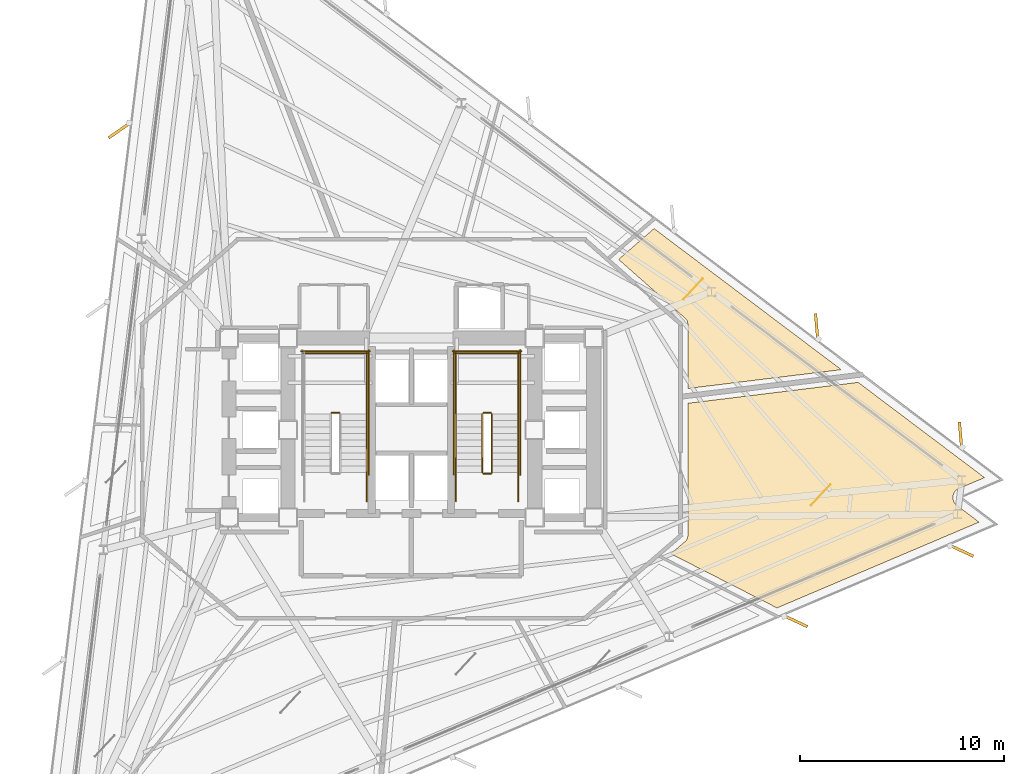
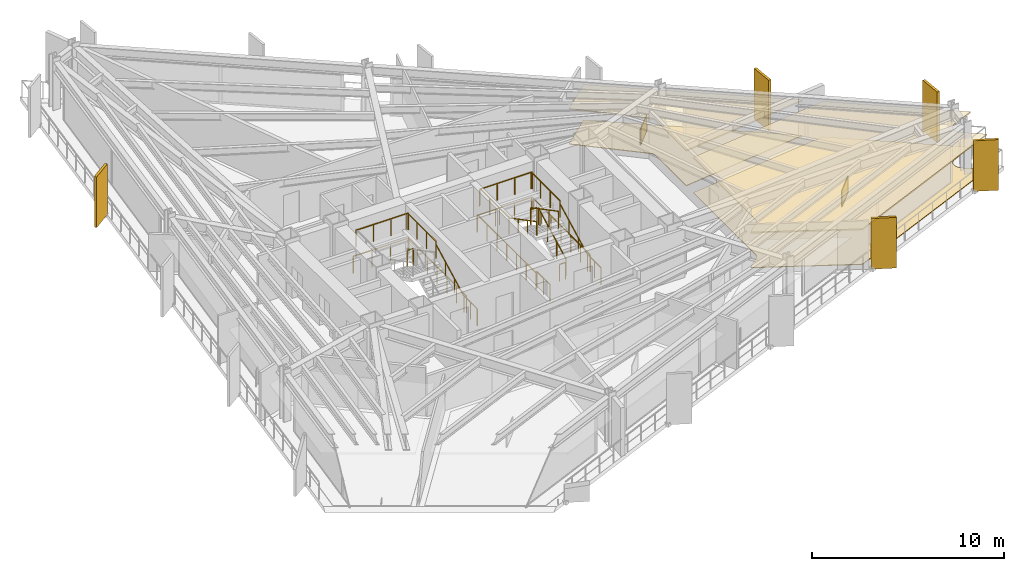
# One storey, part 12 of 13: 21 railings, 6 coverings, 5 shading devices.
"""IFC4 building model written with IfcOpenShell, lengths in metres."""

from ifc_helpers import new_model, si_unit, direction, frame, origin, origin_2d, place, context, subcontext, project, spatial, polyline, rectangle, outline, extrude, material, layer, layer_set, type_object, element, save


model = new_model("IFC4")

# Units and contexts
model_context = context("Model", 3, precision=1e-05, world=origin(), true_north=direction((0.0, 1.0)))
body_context = subcontext(model_context, "Body", "Model", "MODEL_VIEW")
ifc_project = project(units=[si_unit("LENGTHUNIT", "METRE"), si_unit("AREAUNIT", "SQUARE_METRE"), si_unit("VOLUMEUNIT", "CUBIC_METRE"), si_unit("PLANEANGLEUNIT", "RADIAN"), si_unit("MASSUNIT", "GRAM", prefix="KILO")], contexts=[model_context])

# Site, building, storey
site_placement = place(None, origin())
site = spatial("IfcSite", under=ifc_project, at=site_placement, CompositionType="ELEMENT")
building_placement = place(site_placement, origin())
building = spatial("IfcBuilding", under=site, at=building_placement, Name="Rocaltana Carrier Exchange", CompositionType="ELEMENT")
storey_placement = place(building_placement, frame((0.0, 0.0, 59.679931640625)))
storey = spatial("IfcBuildingStorey", under=building, at=storey_placement, Name="L18", CompositionType="ELEMENT", Elevation=59.679931640625)

# Coverings
ifc_material_1 = material(Name="Honed Bogota Sandstone Tile", Category="masonry")
ifc_layer_1 = layer(ifc_material_1, 0.0400390625)
ifc_layer_set_1 = layer_set([ifc_layer_1], Name="Honed Bogota Sandstone Tile")
covering_type_1 = type_object("IfcCoveringType", Name="Honed Stone Lobby Flooring 40", PredefinedType="FLOORING", material=ifc_layer_set_1)
covering_1_placement = place(storey_placement, origin())
element("IfcCovering", 1, at=covering_1_placement, inside=storey, type_object=covering_type_1, Name="L18 Optical Switching Laboratory Finish Floor", PredefinedType="FLOORING", context=body_context, shape_type="SweptSolid", body=[
    extrude(outline(polyline([(28.1201171875, -2.344482421875), (26.860107421875, -2.87939453125), (26.847412109375, -2.885009765625), (26.82958984375, -2.893798828125), (26.80517578125, -2.906982421875), (26.7880859375, -2.91748046875), (26.76513671875, -2.933349609375), (26.749267578125, -2.9453125), (26.727783203125, -2.96337890625), (26.71337890625, -2.97705078125), (26.69384765625, -2.9970703125), (26.6806640625, -3.01220703125), (26.663330078125, -3.033935546875), (26.65185546875, -3.050048828125), (26.63671875, -3.073486328125), (26.626708984375, -3.0908203125), (26.614013671875, -3.11572265625), (26.60595703125, -3.134033203125), (26.595703125, -3.159912109375), (26.589599609375, -3.178955078125), (26.58203125, -3.205810546875), (26.57763671875, -3.225341796875), (26.57275390625, -3.252685546875), (26.5703125, -3.2724609375), (26.568359375, -3.30029296875), (26.56787109375, -3.3203125), (26.568603515625, -3.34814453125), (26.5703125, -3.3681640625), (26.57373046875, -3.395751953125), (26.577392578125, -3.415283203125), (26.58349609375, -3.442626953125), (26.589111328125, -3.4619140625), (26.597900390625, -3.48828125), (26.605224609375, -3.5068359375), (26.616943359375, -3.5322265625), (26.6259765625, -3.5498046875), (26.639892578125, -3.573974609375), (26.65087890625, -3.5908203125), (26.667236328125, -3.61328125), (26.6796875, -3.62890625), (26.6982421875, -3.64990234375), (26.712158203125, -3.6640625), (26.732666015625, -3.68310546875), (26.748046875, -3.69580078125), (26.7587890625, -3.70458984375), (27.851806640625, -4.528076171875), (17.9384765625, -8.736083984375), (12.728515625, -6.08154296875), (13.43505859375, -5.47265625), (13.44482421875, -5.4638671875), (13.450439453125, -5.45849609375), (13.468994140625, -5.439208984375), (13.47412109375, -5.433349609375), (13.490478515625, -5.41259765625), (13.4951171875, -5.40625), (13.509521484375, -5.3837890625), (13.51318359375, -5.377197265625), (13.525634765625, -5.353515625), (13.52880859375, -5.346435546875), (13.538818359375, -5.32177734375), (13.541259765625, -5.314453125), (13.548828125, -5.288818359375), (13.550537109375, -5.281494140625), (13.5556640625, -5.255126953125), (13.556884765625, -5.24755859375), (13.559326171875, -5.220947265625), (13.559814453125, -5.21337890625), (13.56005859375, -5.199951171875), (13.56005859375, 1.30224609375), (21.918701171875, 2.32861328125), (28.1201171875, -2.344482421875)])), origin(), (0.0, 0.0, 1.0), 0.0400390625),
])
covering_2_placement = place(storey_placement, origin())
element("IfcCovering", 2, at=covering_2_placement, inside=storey, type_object=covering_type_1, Name="L18 Client Reception Foyer Finish Floor", PredefinedType="FLOORING", context=body_context, shape_type="SweptSolid", body=[
    extrude(outline(polyline([(21.091064453125, 2.952392578125), (13.56005859375, 2.027587890625), (13.56005859375, 5.199951171875), (13.559814453125, 5.213134765625), (13.559326171875, 5.220703125), (13.556884765625, 5.246826171875), (13.555908203125, 5.25439453125), (13.55078125, 5.2802734375), (13.549072265625, 5.28759765625), (13.541748046875, 5.31298828125), (13.539306640625, 5.320068359375), (13.529541015625, 5.344482421875), (13.526611328125, 5.351318359375), (13.5146484375, 5.375), (13.5107421875, 5.38134765625), (13.49658203125, 5.40380859375), (13.492431640625, 5.409912109375), (13.476318359375, 5.4306640625), (13.471435546875, 5.436279296875), (13.453369140625, 5.455810546875), (13.447998046875, 5.4609375), (13.438232421875, 5.469970703125), (10.16552734375, 8.359619140625), (11.906494140625, 9.873291015625), (21.091064453125, 2.952392578125)])), origin(), (0.0, 0.0, 1.0), 0.0400390625),
])
ifc_material_2 = material(Name="Anodised Aluminium 6063-T6", Category="aluminium")
ifc_layer_2 = layer(ifc_material_2, 0.0849609375)
ifc_layer_set_2 = layer_set([ifc_layer_2], Name="Anodised Aluminium 6063-T6")
covering_type_2 = type_object("IfcCoveringType", Name="Linear Baffle Acoustic Ceiling 85", PredefinedType="CEILING", material=ifc_layer_set_2)
covering_3_placement = place(storey_placement, frame((0.0, 0.0, 2.203125)))
element("IfcCovering", 3, at=covering_3_placement, inside=storey, type_object=covering_type_2, Name="L18 Optical Switching Laboratory Acoustic Ceiling", PredefinedType="CEILING", context=body_context, shape_type="SweptSolid", body=[
    extrude(outline(polyline([(28.1201171875, -2.344482421875), (26.860107421875, -2.87939453125), (26.847412109375, -2.885009765625), (26.82958984375, -2.893798828125), (26.80517578125, -2.906982421875), (26.7880859375, -2.91748046875), (26.76513671875, -2.933349609375), (26.749267578125, -2.9453125), (26.727783203125, -2.96337890625), (26.71337890625, -2.97705078125), (26.69384765625, -2.9970703125), (26.6806640625, -3.01220703125), (26.663330078125, -3.033935546875), (26.65185546875, -3.050048828125), (26.63671875, -3.073486328125), (26.626708984375, -3.0908203125), (26.614013671875, -3.11572265625), (26.60595703125, -3.134033203125), (26.595703125, -3.159912109375), (26.589599609375, -3.178955078125), (26.58203125, -3.205810546875), (26.57763671875, -3.225341796875), (26.57275390625, -3.252685546875), (26.5703125, -3.2724609375), (26.568359375, -3.30029296875), (26.56787109375, -3.3203125), (26.568603515625, -3.34814453125), (26.5703125, -3.3681640625), (26.57373046875, -3.395751953125), (26.577392578125, -3.415283203125), (26.58349609375, -3.442626953125), (26.589111328125, -3.4619140625), (26.597900390625, -3.48828125), (26.605224609375, -3.5068359375), (26.616943359375, -3.5322265625), (26.6259765625, -3.5498046875), (26.639892578125, -3.573974609375), (26.65087890625, -3.5908203125), (26.667236328125, -3.61328125), (26.6796875, -3.62890625), (26.6982421875, -3.64990234375), (26.712158203125, -3.6640625), (26.732666015625, -3.68310546875), (26.748046875, -3.69580078125), (26.7587890625, -3.70458984375), (27.851806640625, -4.528076171875), (17.9384765625, -8.736083984375), (12.728515625, -6.08154296875), (13.43505859375, -5.47265625), (13.44482421875, -5.4638671875), (13.450439453125, -5.45849609375), (13.468994140625, -5.439208984375), (13.47412109375, -5.433349609375), (13.490478515625, -5.41259765625), (13.4951171875, -5.40625), (13.509521484375, -5.3837890625), (13.51318359375, -5.377197265625), (13.525634765625, -5.353515625), (13.52880859375, -5.346435546875), (13.538818359375, -5.32177734375), (13.541259765625, -5.314453125), (13.548828125, -5.288818359375), (13.550537109375, -5.281494140625), (13.5556640625, -5.255126953125), (13.556884765625, -5.24755859375), (13.559326171875, -5.220947265625), (13.559814453125, -5.21337890625), (13.56005859375, -5.199951171875), (13.56005859375, 1.30224609375), (21.918701171875, 2.32861328125), (28.1201171875, -2.344482421875)])), origin(), (0.0, 0.0, 1.0), 0.0849609375),
])
covering_4_placement = place(storey_placement, frame((0.0, 0.0, 2.203125)))
element("IfcCovering", 4, at=covering_4_placement, inside=storey, type_object=covering_type_2, Name="L18 Client Reception Foyer Acoustic Ceiling", PredefinedType="CEILING", context=body_context, shape_type="SweptSolid", body=[
    extrude(outline(polyline([(21.091064453125, 2.952392578125), (13.56005859375, 2.027587890625), (13.56005859375, 5.199951171875), (13.559814453125, 5.213134765625), (13.559326171875, 5.220703125), (13.556884765625, 5.246826171875), (13.555908203125, 5.25439453125), (13.55078125, 5.2802734375), (13.549072265625, 5.28759765625), (13.541748046875, 5.31298828125), (13.539306640625, 5.320068359375), (13.529541015625, 5.344482421875), (13.526611328125, 5.351318359375), (13.5146484375, 5.375), (13.5107421875, 5.38134765625), (13.49658203125, 5.40380859375), (13.492431640625, 5.409912109375), (13.476318359375, 5.4306640625), (13.471435546875, 5.436279296875), (13.453369140625, 5.455810546875), (13.447998046875, 5.4609375), (13.438232421875, 5.469970703125), (10.16552734375, 8.359619140625), (11.906494140625, 9.873291015625), (21.091064453125, 2.952392578125)])), origin(), (0.0, 0.0, 1.0), 0.0849609375),
])

# Railings
ifc_material_3 = material(Name="Brushed Architectural Stainless Tube", Category="steel")
ifc_layer_3 = layer(ifc_material_3, 0.048095703125)
ifc_layer_set_3 = layer_set([ifc_layer_3], Name="Brushed Architectural Stainless Tube")
railing_type_1 = type_object("IfcRailingType", Name="Stair Wall Handrail 920", PredefinedType="HANDRAIL", material=ifc_layer_set_3)
for number, where, name in (
    (5, (-2.18994140625, -2.10009765625, 0.16796875), "L18 ST-1 stair handrail 1"),
    (6, (5.25, -2.10009765625, 0.16796875), "L18 ST-2 stair handrail 1"),
):
    element("IfcRailing", number, at=place(storey_placement, frame(where)), inside=storey, type_object=railing_type_1, Name=name, PredefinedType="HANDRAIL", context=body_context, shape_type="SweptSolid", body=[
        extrude(rectangle(XDim=0.048095703125, YDim=0.048095703125, at=origin_2d()), frame((0.0, 0.0, 0.8759765625), z_axis=(0.0, 0.8853801414, 0.46486772873), x_axis=(-1.0, 0.0, 0.0)), (0.0, 0.0, 1.0), 3.2529296875),
        extrude(rectangle(XDim=0.0419921875, YDim=0.0419921875, at=origin_2d()), origin(), (0.0, 0.0, 1.0), 0.851806640625),
        extrude(rectangle(XDim=0.0419921875, YDim=0.0419921875, at=origin_2d()), frame((0.0, 0.9599609375, 0.504150390625)), (0.0, 0.0, 1.0), 0.851806640625),
        extrude(rectangle(XDim=0.0419921875, YDim=0.0419921875, at=origin_2d()), frame((0.0, 1.920166015625, 1.008056640625)), (0.0, 0.0, 1.0), 0.851806640625),
        extrude(rectangle(XDim=0.0419921875, YDim=0.0419921875, at=origin_2d()), frame((0.0, 2.880126953125, 1.51220703125)), (0.0, 0.0, 1.0), 0.851806640625),
    ])
railing_1_placement = place(storey_placement, frame((2.18994140625, 0.780029296875, 1.84814453125)))
element("IfcRailing", 7, at=railing_1_placement, inside=storey, type_object=railing_type_1, Name="L18 ST-2 stair handrail 2", PredefinedType="HANDRAIL", context=body_context, shape_type="SweptSolid", body=[
    extrude(rectangle(XDim=0.048095703125, YDim=0.048095703125, at=origin_2d()), frame((0.0, 0.0, 0.8759765625), z_axis=(0.0, -0.885411030485, 0.464808893091), x_axis=(1.0, 0.0, 0.0)), (0.0, 0.0, 1.0), 3.2529296875),
    extrude(rectangle(XDim=0.0419921875, YDim=0.0419921875, at=origin_2d()), origin(), (0.0, 0.0, 1.0), 0.851806640625),
    extrude(rectangle(XDim=0.0419921875, YDim=0.0419921875, at=origin_2d()), frame((0.0, -0.9599609375, 0.50390625)), (0.0, 0.0, 1.0), 0.851806640625),
    extrude(rectangle(XDim=0.0419921875, YDim=0.0419921875, at=origin_2d()), frame((0.0, -1.920166015625, 1.008056640625)), (0.0, 0.0, 1.0), 0.851806640625),
    extrude(rectangle(XDim=0.0419921875, YDim=0.0419921875, at=origin_2d()), frame((0.0, -2.880126953125, 1.511962890625)), (0.0, 0.0, 1.0), 0.851806640625),
])
ifc_material_4 = material(Name="Powder-Coated Aluminium 6063-T6", Category="aluminium")
ifc_layer_4 = layer(ifc_material_4, 0.048095703125)
ifc_layer_set_4 = layer_set([ifc_layer_4], Name="Powder-Coated Aluminium 6063-T6")
railing_type_2 = type_object("IfcRailingType", Name="Stair Well Guardrail 1100", PredefinedType="GUARDRAIL", material=ifc_layer_set_4)
railing_2_placement = place(storey_placement, frame((-3.5400390625, 0.830078125, 1.68017578125)))
element("IfcRailing", 8, at=railing_2_placement, inside=storey, type_object=railing_type_2, Name="L18 ST-1 stair guard 2", PredefinedType="GUARDRAIL", context=body_context, shape_type="SweptSolid", body=[
    extrude(rectangle(XDim=0.048095703125, YDim=0.048095703125, at=origin_2d()), frame((0.0, 0.0, 1.076171875), z_axis=(-1.0, 0.0, 0.0), x_axis=(0.0, -1.0, 0.0)), (0.0, 0.0, 1.0), 0.35986328125),
    extrude(rectangle(XDim=0.0419921875, YDim=0.0419921875, at=origin_2d()), origin(), (0.0, 0.0, 1.0), 1.052001953125),
    extrude(rectangle(XDim=0.0419921875, YDim=0.0419921875, at=origin_2d()), frame((-0.35986328125, 0.0, 0.0)), (0.0, 0.0, 1.0), 1.052001953125),
])
railing_3_placement = place(storey_placement, frame((-2.18994140625, 0.780029296875, 1.68017578125)))
element("IfcRailing", 9, at=railing_3_placement, inside=storey, type_object=railing_type_2, Name="L18 ST-1 stair guard 3", PredefinedType="GUARDRAIL", context=body_context, shape_type="SweptSolid", body=[
    extrude(rectangle(XDim=0.048095703125, YDim=0.048095703125, at=origin_2d()), frame((0.0, 0.0, 1.076171875), z_axis=(0.0, 1.0, 0.0), x_axis=(-1.0, 0.0, 0.0)), (0.0, 0.0, 1.0), 3.02001953125),
    extrude(rectangle(XDim=0.0419921875, YDim=0.0419921875, at=origin_2d()), origin(), (0.0, 0.0, 1.0), 1.052001953125),
    extrude(rectangle(XDim=0.0419921875, YDim=0.0419921875, at=origin_2d()), frame((0.0, 1.006591796875, 0.0)), (0.0, 0.0, 1.0), 1.052001953125),
    extrude(rectangle(XDim=0.0419921875, YDim=0.0419921875, at=origin_2d()), frame((0.0, 2.013427734375, 0.0)), (0.0, 0.0, 1.0), 1.052001953125),
    extrude(rectangle(XDim=0.0419921875, YDim=0.0419921875, at=origin_2d()), frame((0.0, 3.02001953125, 0.0)), (0.0, 0.0, 1.0), 1.052001953125),
])
railing_4_placement = place(storey_placement, frame((-2.139892578125, 3.75, 1.68017578125)))
element("IfcRailing", 10, at=railing_4_placement, inside=storey, type_object=railing_type_2, Name="L18 ST-1 stair guard 5", PredefinedType="GUARDRAIL", context=body_context, shape_type="SweptSolid", body=[
    extrude(rectangle(XDim=0.048095703125, YDim=0.048095703125, at=origin_2d()), frame((0.0, 0.0, 1.076171875), z_axis=(-1.0, 0.0, 0.0), x_axis=(0.0, -1.0, 0.0)), (0.0, 0.0, 1.0), 3.16015625),
    extrude(rectangle(XDim=0.0419921875, YDim=0.0419921875, at=origin_2d()), origin(), (0.0, 0.0, 1.0), 1.052001953125),
    extrude(rectangle(XDim=0.0419921875, YDim=0.0419921875, at=origin_2d()), frame((-1.053466796875, 0.0, 0.0)), (0.0, 0.0, 1.0), 1.052001953125),
    extrude(rectangle(XDim=0.0419921875, YDim=0.0419921875, at=origin_2d()), frame((-2.106689453125, 0.0, 0.0)), (0.0, 0.0, 1.0), 1.052001953125),
    extrude(rectangle(XDim=0.0419921875, YDim=0.0419921875, at=origin_2d()), frame((-3.16015625, 0.0, 0.0)), (0.0, 0.0, 1.0), 1.052001953125),
])
railing_5_placement = place(storey_placement, frame((-2.18994140625, -3.5, 0.0)))
element("IfcRailing", 11, at=railing_5_placement, inside=storey, type_object=railing_type_2, Name="L18 ST-1 stair guard 8", PredefinedType="GUARDRAIL", context=body_context, shape_type="SweptSolid", body=[
    extrude(rectangle(XDim=0.048095703125, YDim=0.048095703125, at=origin_2d()), frame((0.0, 0.0, 1.076171875), z_axis=(0.0, 1.0, 0.0), x_axis=(-1.0, 0.0, 0.0)), (0.0, 0.0, 1.0), 1.39990234375),
    extrude(rectangle(XDim=0.0419921875, YDim=0.0419921875, at=origin_2d()), origin(), (0.0, 0.0, 1.0), 1.052001953125),
    extrude(rectangle(XDim=0.0419921875, YDim=0.0419921875, at=origin_2d()), frame((0.0, 0.699951171875, 0.0)), (0.0, 0.0, 1.0), 1.052001953125),
    extrude(rectangle(XDim=0.0419921875, YDim=0.0419921875, at=origin_2d()), frame((0.0, 1.39990234375, 0.0)), (0.0, 0.0, 1.0), 1.052001953125),
])
railing_6_placement = place(storey_placement, frame((-2.090087890625, -2.199951171875, 0.0)))
element("IfcRailing", 12, at=railing_6_placement, inside=storey, type_object=railing_type_2, Name="L18 ST-1 stair guard 10", PredefinedType="GUARDRAIL", context=body_context, shape_type="SweptSolid", body=[
    extrude(rectangle(XDim=0.048095703125, YDim=0.048095703125, at=origin_2d()), frame((0.0, 0.0, 1.076171875), z_axis=(0.0, 1.0, 0.0), x_axis=(-1.0, 0.0, 0.0)), (0.0, 0.0, 1.0), 6.099853515625),
    extrude(rectangle(XDim=0.0419921875, YDim=0.0419921875, at=origin_2d()), origin(), (0.0, 0.0, 1.0), 1.052001953125),
    extrude(rectangle(XDim=0.0419921875, YDim=0.0419921875, at=origin_2d()), frame((0.0, 1.0166015625, 0.0)), (0.0, 0.0, 1.0), 1.052001953125),
    extrude(rectangle(XDim=0.0419921875, YDim=0.0419921875, at=origin_2d()), frame((0.0, 2.033203125, 0.0)), (0.0, 0.0, 1.0), 1.052001953125),
    extrude(rectangle(XDim=0.0419921875, YDim=0.0419921875, at=origin_2d()), frame((0.0, 3.0498046875, 0.0)), (0.0, 0.0, 1.0), 1.052001953125),
    extrude(rectangle(XDim=0.0419921875, YDim=0.0419921875, at=origin_2d()), frame((0.0, 4.066650390625, 0.0)), (0.0, 0.0, 1.0), 1.052001953125),
    extrude(rectangle(XDim=0.0419921875, YDim=0.0419921875, at=origin_2d()), frame((0.0, 5.083251953125, 0.0)), (0.0, 0.0, 1.0), 1.052001953125),
    extrude(rectangle(XDim=0.0419921875, YDim=0.0419921875, at=origin_2d()), frame((0.0, 6.099853515625, 0.0)), (0.0, 0.0, 1.0), 1.052001953125),
])
railing_7_placement = place(storey_placement, frame((-2.0400390625, 3.85009765625, 0.0)))
element("IfcRailing", 13, at=railing_7_placement, inside=storey, type_object=railing_type_2, Name="L18 ST-1 stair guard 12", PredefinedType="GUARDRAIL", context=body_context, shape_type="SweptSolid", body=[
    extrude(rectangle(XDim=0.048095703125, YDim=0.048095703125, at=origin_2d()), frame((0.0, 0.0, 1.076171875), z_axis=(-1.0, 0.0, 0.0), x_axis=(0.0, -1.0, 0.0)), (0.0, 0.0, 1.0), 3.35986328125),
    extrude(rectangle(XDim=0.0419921875, YDim=0.0419921875, at=origin_2d()), origin(), (0.0, 0.0, 1.0), 1.052001953125),
    extrude(rectangle(XDim=0.0419921875, YDim=0.0419921875, at=origin_2d()), frame((-1.119873046875, 0.0, 0.0)), (0.0, 0.0, 1.0), 1.052001953125),
    extrude(rectangle(XDim=0.0419921875, YDim=0.0419921875, at=origin_2d()), frame((-2.239990234375, 0.0, 0.0)), (0.0, 0.0, 1.0), 1.052001953125),
    extrude(rectangle(XDim=0.0419921875, YDim=0.0419921875, at=origin_2d()), frame((-3.35986328125, 0.0, 0.0)), (0.0, 0.0, 1.0), 1.052001953125),
])
railing_8_placement = place(storey_placement, frame((3.949951171875, -2.10009765625, 0.16796875)))
element("IfcRailing", 14, at=railing_8_placement, inside=storey, type_object=railing_type_2, Name="L18 ST-2 stair guard 1", PredefinedType="GUARDRAIL", context=body_context, shape_type="SweptSolid", body=[
    extrude(rectangle(XDim=0.048095703125, YDim=0.048095703125, at=origin_2d()), frame((0.0, 0.0, 1.076171875), z_axis=(0.0, 0.8853801414, 0.46486772873), x_axis=(-1.0, 0.0, 0.0)), (0.0, 0.0, 1.0), 3.2529296875),
    extrude(rectangle(XDim=0.0419921875, YDim=0.0419921875, at=origin_2d()), origin(), (0.0, 0.0, 1.0), 1.052001953125),
    extrude(rectangle(XDim=0.0419921875, YDim=0.0419921875, at=origin_2d()), frame((0.0, 0.9599609375, 0.504150390625)), (0.0, 0.0, 1.0), 1.052001953125),
    extrude(rectangle(XDim=0.0419921875, YDim=0.0419921875, at=origin_2d()), frame((0.0, 1.920166015625, 1.008056640625)), (0.0, 0.0, 1.0), 1.052001953125),
    extrude(rectangle(XDim=0.0419921875, YDim=0.0419921875, at=origin_2d()), frame((0.0, 2.880126953125, 1.51220703125)), (0.0, 0.0, 1.0), 1.052001953125),
])
railing_9_placement = place(storey_placement, frame((3.89990234375, 0.830078125, 1.68017578125)))
element("IfcRailing", 15, at=railing_9_placement, inside=storey, type_object=railing_type_2, Name="L18 ST-2 stair guard 2", PredefinedType="GUARDRAIL", context=body_context, shape_type="SweptSolid", body=[
    extrude(rectangle(XDim=0.048095703125, YDim=0.048095703125, at=origin_2d()), frame((0.0, 0.0, 1.076171875), z_axis=(-1.0, 0.0, 0.0), x_axis=(0.0, -1.0, 0.0)), (0.0, 0.0, 1.0), 0.35986328125),
    extrude(rectangle(XDim=0.0419921875, YDim=0.0419921875, at=origin_2d()), origin(), (0.0, 0.0, 1.0), 1.052001953125),
    extrude(rectangle(XDim=0.0419921875, YDim=0.0419921875, at=origin_2d()), frame((-0.35986328125, 0.0, 0.0)), (0.0, 0.0, 1.0), 1.052001953125),
])
for number, where, name in (
    (16, (5.25, 0.780029296875, 1.68017578125), "L18 ST-2 stair guard 3"),
    (17, (2.18994140625, 0.780029296875, 1.68017578125), "L18 ST-2 stair guard 4"),
):
    element("IfcRailing", number, at=place(storey_placement, frame(where)), inside=storey, type_object=railing_type_2, Name=name, PredefinedType="GUARDRAIL", context=body_context, shape_type="SweptSolid", body=[
        extrude(rectangle(XDim=0.048095703125, YDim=0.048095703125, at=origin_2d()), frame((0.0, 0.0, 1.076171875), z_axis=(0.0, 1.0, 0.0), x_axis=(-1.0, 0.0, 0.0)), (0.0, 0.0, 1.0), 3.02001953125),
        extrude(rectangle(XDim=0.0419921875, YDim=0.0419921875, at=origin_2d()), origin(), (0.0, 0.0, 1.0), 1.052001953125),
        extrude(rectangle(XDim=0.0419921875, YDim=0.0419921875, at=origin_2d()), frame((0.0, 1.006591796875, 0.0)), (0.0, 0.0, 1.0), 1.052001953125),
        extrude(rectangle(XDim=0.0419921875, YDim=0.0419921875, at=origin_2d()), frame((0.0, 2.013427734375, 0.0)), (0.0, 0.0, 1.0), 1.052001953125),
        extrude(rectangle(XDim=0.0419921875, YDim=0.0419921875, at=origin_2d()), frame((0.0, 3.02001953125, 0.0)), (0.0, 0.0, 1.0), 1.052001953125),
    ])
railing_10_placement = place(storey_placement, frame((5.300048828125, 3.75, 1.68017578125)))
element("IfcRailing", 18, at=railing_10_placement, inside=storey, type_object=railing_type_2, Name="L18 ST-2 stair guard 5", PredefinedType="GUARDRAIL", context=body_context, shape_type="SweptSolid", body=[
    extrude(rectangle(XDim=0.048095703125, YDim=0.048095703125, at=origin_2d()), frame((0.0, 0.0, 1.076171875), z_axis=(-1.0, 0.0, 0.0), x_axis=(0.0, -1.0, 0.0)), (0.0, 0.0, 1.0), 3.16015625),
    extrude(rectangle(XDim=0.0419921875, YDim=0.0419921875, at=origin_2d()), origin(), (0.0, 0.0, 1.0), 1.052001953125),
    extrude(rectangle(XDim=0.0419921875, YDim=0.0419921875, at=origin_2d()), frame((-1.053466796875, 0.0, 0.0)), (0.0, 0.0, 1.0), 1.052001953125),
    extrude(rectangle(XDim=0.0419921875, YDim=0.0419921875, at=origin_2d()), frame((-2.106689453125, 0.0, 0.0)), (0.0, 0.0, 1.0), 1.052001953125),
    extrude(rectangle(XDim=0.0419921875, YDim=0.0419921875, at=origin_2d()), frame((-3.16015625, 0.0, 0.0)), (0.0, 0.0, 1.0), 1.052001953125),
])
railing_11_placement = place(storey_placement, frame((3.489990234375, 0.780029296875, 1.84814453125)))
element("IfcRailing", 19, at=railing_11_placement, inside=storey, type_object=railing_type_2, Name="L18 ST-2 stair guard 6", PredefinedType="GUARDRAIL", context=body_context, shape_type="SweptSolid", body=[
    extrude(rectangle(XDim=0.048095703125, YDim=0.048095703125, at=origin_2d()), frame((0.0, 0.0, 1.076171875), z_axis=(0.0, -0.885411030485, 0.464808893091), x_axis=(1.0, 0.0, 0.0)), (0.0, 0.0, 1.0), 3.2529296875),
    extrude(rectangle(XDim=0.0419921875, YDim=0.0419921875, at=origin_2d()), origin(), (0.0, 0.0, 1.0), 1.052001953125),
    extrude(rectangle(XDim=0.0419921875, YDim=0.0419921875, at=origin_2d()), frame((0.0, -0.9599609375, 0.50390625)), (0.0, 0.0, 1.0), 1.052001953125),
    extrude(rectangle(XDim=0.0419921875, YDim=0.0419921875, at=origin_2d()), frame((0.0, -1.920166015625, 1.008056640625)), (0.0, 0.0, 1.0), 1.052001953125),
    extrude(rectangle(XDim=0.0419921875, YDim=0.0419921875, at=origin_2d()), frame((0.0, -2.880126953125, 1.511962890625)), (0.0, 0.0, 1.0), 1.052001953125),
])
railing_12_placement = place(storey_placement, frame((3.89990234375, -2.14990234375, 0.0)))
element("IfcRailing", 20, at=railing_12_placement, inside=storey, type_object=railing_type_2, Name="L18 ST-2 stair guard 7", PredefinedType="GUARDRAIL", context=body_context, shape_type="SweptSolid", body=[
    extrude(rectangle(XDim=0.048095703125, YDim=0.048095703125, at=origin_2d()), frame((0.0, 0.0, 1.076171875), z_axis=(-1.0, 0.0, 0.0), x_axis=(0.0, -1.0, 0.0)), (0.0, 0.0, 1.0), 0.35986328125),
    extrude(rectangle(XDim=0.0419921875, YDim=0.0419921875, at=origin_2d()), origin(), (0.0, 0.0, 1.0), 1.052001953125),
    extrude(rectangle(XDim=0.0419921875, YDim=0.0419921875, at=origin_2d()), frame((-0.35986328125, 0.0, 0.0)), (0.0, 0.0, 1.0), 1.052001953125),
])
for number, where, name in (
    (21, (5.25, -3.5, 0.0), "L18 ST-2 stair guard 8"),
    (22, (2.18994140625, -3.5, 0.0), "L18 ST-2 stair guard 9"),
):
    element("IfcRailing", number, at=place(storey_placement, frame(where)), inside=storey, type_object=railing_type_2, Name=name, PredefinedType="GUARDRAIL", context=body_context, shape_type="SweptSolid", body=[
        extrude(rectangle(XDim=0.048095703125, YDim=0.048095703125, at=origin_2d()), frame((0.0, 0.0, 1.076171875), z_axis=(0.0, 1.0, 0.0), x_axis=(-1.0, 0.0, 0.0)), (0.0, 0.0, 1.0), 1.39990234375),
        extrude(rectangle(XDim=0.0419921875, YDim=0.0419921875, at=origin_2d()), origin(), (0.0, 0.0, 1.0), 1.052001953125),
        extrude(rectangle(XDim=0.0419921875, YDim=0.0419921875, at=origin_2d()), frame((0.0, 0.699951171875, 0.0)), (0.0, 0.0, 1.0), 1.052001953125),
        extrude(rectangle(XDim=0.0419921875, YDim=0.0419921875, at=origin_2d()), frame((0.0, 1.39990234375, 0.0)), (0.0, 0.0, 1.0), 1.052001953125),
    ])
for number, where, name in (
    (23, (5.35009765625, -2.199951171875, 0.0), "L18 ST-2 stair guard 10"),
    (24, (2.090087890625, -2.199951171875, 0.0), "L18 ST-2 stair guard 11"),
):
    element("IfcRailing", number, at=place(storey_placement, frame(where)), inside=storey, type_object=railing_type_2, Name=name, PredefinedType="GUARDRAIL", context=body_context, shape_type="SweptSolid", body=[
        extrude(rectangle(XDim=0.048095703125, YDim=0.048095703125, at=origin_2d()), frame((0.0, 0.0, 1.076171875), z_axis=(0.0, 1.0, 0.0), x_axis=(-1.0, 0.0, 0.0)), (0.0, 0.0, 1.0), 6.099853515625),
        extrude(rectangle(XDim=0.0419921875, YDim=0.0419921875, at=origin_2d()), origin(), (0.0, 0.0, 1.0), 1.052001953125),
        extrude(rectangle(XDim=0.0419921875, YDim=0.0419921875, at=origin_2d()), frame((0.0, 1.0166015625, 0.0)), (0.0, 0.0, 1.0), 1.052001953125),
        extrude(rectangle(XDim=0.0419921875, YDim=0.0419921875, at=origin_2d()), frame((0.0, 2.033203125, 0.0)), (0.0, 0.0, 1.0), 1.052001953125),
        extrude(rectangle(XDim=0.0419921875, YDim=0.0419921875, at=origin_2d()), frame((0.0, 3.0498046875, 0.0)), (0.0, 0.0, 1.0), 1.052001953125),
        extrude(rectangle(XDim=0.0419921875, YDim=0.0419921875, at=origin_2d()), frame((0.0, 4.066650390625, 0.0)), (0.0, 0.0, 1.0), 1.052001953125),
        extrude(rectangle(XDim=0.0419921875, YDim=0.0419921875, at=origin_2d()), frame((0.0, 5.083251953125, 0.0)), (0.0, 0.0, 1.0), 1.052001953125),
        extrude(rectangle(XDim=0.0419921875, YDim=0.0419921875, at=origin_2d()), frame((0.0, 6.099853515625, 0.0)), (0.0, 0.0, 1.0), 1.052001953125),
    ])
railing_13_placement = place(storey_placement, frame((5.39990234375, 3.85009765625, 0.0)))
element("IfcRailing", 25, at=railing_13_placement, inside=storey, type_object=railing_type_2, Name="L18 ST-2 stair guard 12", PredefinedType="GUARDRAIL", context=body_context, shape_type="SweptSolid", body=[
    extrude(rectangle(XDim=0.048095703125, YDim=0.048095703125, at=origin_2d()), frame((0.0, 0.0, 1.076171875), z_axis=(-1.0, 0.0, 0.0), x_axis=(0.0, -1.0, 0.0)), (0.0, 0.0, 1.0), 3.35986328125),
    extrude(rectangle(XDim=0.0419921875, YDim=0.0419921875, at=origin_2d()), origin(), (0.0, 0.0, 1.0), 1.052001953125),
    extrude(rectangle(XDim=0.0419921875, YDim=0.0419921875, at=origin_2d()), frame((-1.119873046875, 0.0, 0.0)), (0.0, 0.0, 1.0), 1.052001953125),
    extrude(rectangle(XDim=0.0419921875, YDim=0.0419921875, at=origin_2d()), frame((-2.239990234375, 0.0, 0.0)), (0.0, 0.0, 1.0), 1.052001953125),
    extrude(rectangle(XDim=0.0419921875, YDim=0.0419921875, at=origin_2d()), frame((-3.35986328125, 0.0, 0.0)), (0.0, 0.0, 1.0), 1.052001953125),
])

# Coverings
ifc_material_5 = material(Name="Honed Piedra Muneca Sandstone", Category="masonry")
ifc_layer_5 = layer(ifc_material_5, 0.034912109375)
ifc_layer_set_5 = layer_set([ifc_layer_5], Name="Honed Piedra Muneca Sandstone")
covering_type_3 = type_object("IfcCoveringType", Name="Stone Facade Cladding 35", PredefinedType="CLADDING", material=ifc_layer_set_5)
for number, where, z_axis, x_axis, name in (
    (26, (20.072998046875, -3.1923828125, 0.0), (0.0, 0.0, 1.0), (0.681998360062, 0.731353701619, 0.0), "L18 Stone Facade Cladding Panel 6"),
    (27, (13.8173828125, 6.914794921875, 0.0), (0.0, 0.0, 1.0), (0.681998360062, 0.731353701619, 0.0), "L18 Stone Facade Cladding Panel 7"),
):
    element("IfcCovering", number, at=place(storey_placement, frame(where, z_axis=z_axis, x_axis=x_axis)), inside=storey, type_object=covering_type_3, Name=name, PredefinedType="CLADDING", context=body_context, shape_type="SweptSolid", body=[
        extrude(rectangle(XDim=1.39990234375, YDim=0.034912109375, at=origin_2d()), origin(), (0.0, 0.0, 1.0), 1.050048828125),
    ])

# Shading devices
ifc_material_6 = material(Name="Honed Bogota Sandstone & Concrete C45/55", Category="masonry")
ifc_layer_6 = layer(ifc_material_6, 0.139892578125)
ifc_layer_set_6 = layer_set([ifc_layer_6], Name="Honed Bogota Sandstone & Concrete C45/55")
shading_device_type = type_object("IfcShadingDeviceType", Name="Vertical Sandstone Shading Fin 1320x140", PredefinedType="USERDEFINED", material=ifc_layer_set_6)
for number, where, z_axis, x_axis, name in (
    (28, (26.9423828125, -0.279052734375, -0.1201171875), (0.0, 0.0, 1.0), (-0.087155742748, 0.996194698092, 0.0), "L18 Sandstone Vertical Fin F1-01"),
    (29, (19.882568359375, 5.041015625, -0.1201171875), (0.0, 0.0, 1.0), (-0.087155742748, 0.996194698092, 0.0), "L18 Sandstone Vertical Fin F1-02"),
    (30, (-14.306884765625, 14.6982421875, -0.1201171875), (0.0, 0.0, 1.0), (-0.819152044289, -0.573576436351, 0.0), "L18 Sandstone Vertical Fin F2-02"),
    (31, (18.836181640625, -9.376953125, -0.1201171875), (0.0, 0.0, 1.0), (0.906307787037, -0.422618261741, 0.0), "L18 Sandstone Vertical Fin F3-05"),
    (32, (26.973388671875, -5.923095703125, -0.1201171875), (0.0, 0.0, 1.0), (0.906307787037, -0.422618261741, 0.0), "L18 Sandstone Vertical Fin F3-06"),
):
    element("IfcShadingDevice", number, at=place(storey_placement, frame(where, z_axis=z_axis, x_axis=x_axis)), inside=storey, type_object=shading_device_type, Name=name, ObjectType="FIN", PredefinedType="USERDEFINED", context=body_context, shape_type="SweptSolid", body=[
        extrude(rectangle(XDim=1.320068359375, YDim=0.139892578125, at=origin_2d()), origin(), (0.0, 0.0, 1.0), 3.218017578125),
    ])

save(model, "model.ifc")
